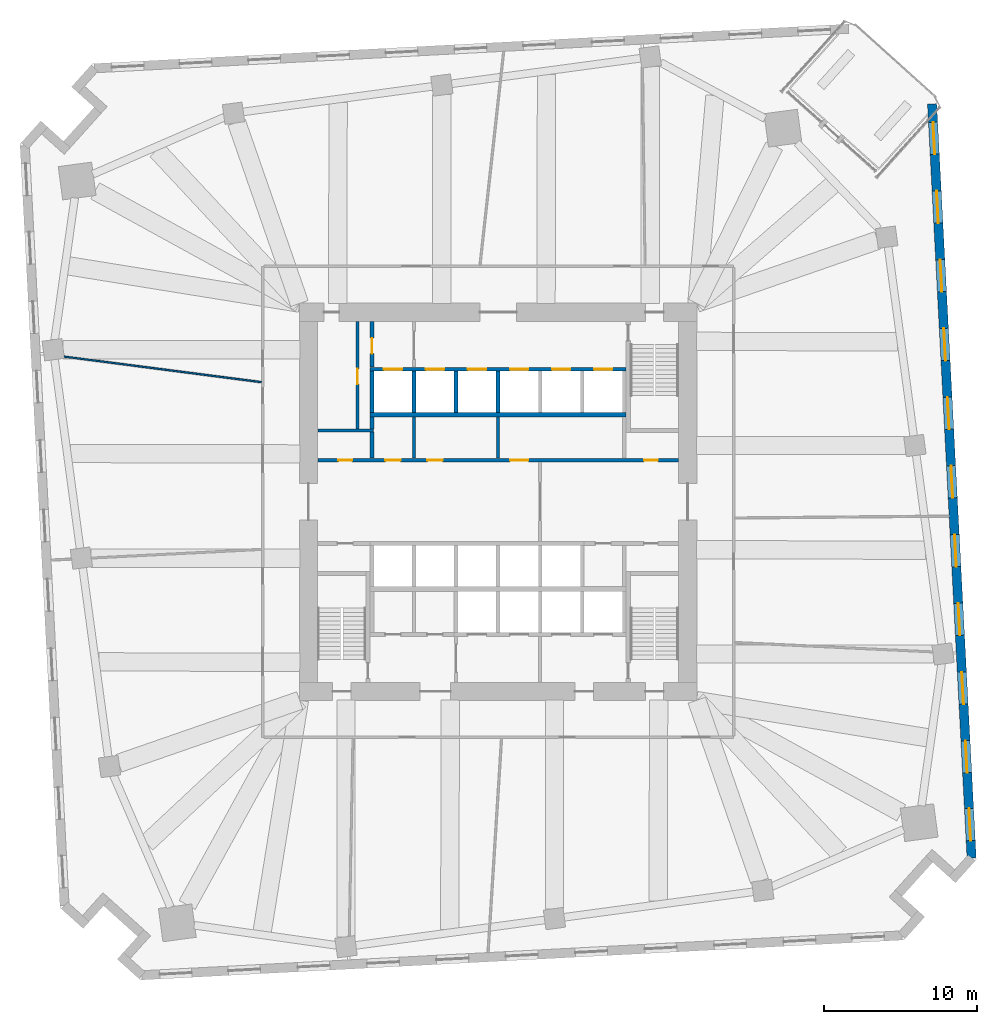
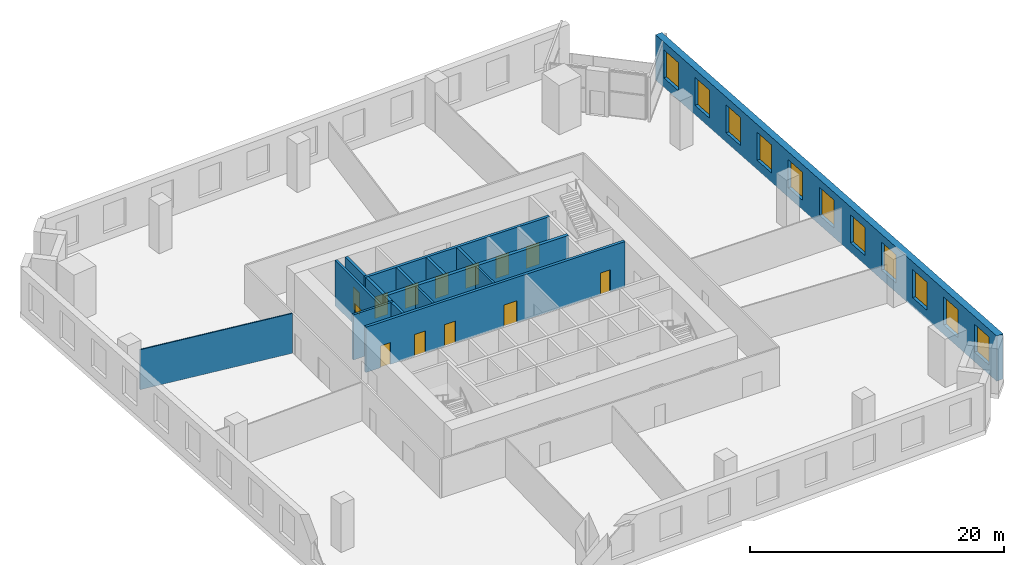
# One storey, part 6 of 10: 16 walls, 13 doors, 11 windows, 24 openings.
"""IFC4 building model written with IfcOpenShell, lengths in metres."""

import ifcopenshell
import ifcopenshell.guid

model = None  # the IFC model being written
_history = None  # IfcOwnerHistory: only IFC2X3 demands one
_inside = {}  # id of a spatial element -> (the spatial element, [elements in it])
_under = {}  # id of a project, library or spatial element -> (it, [spatial elements below it])
_declared = {}  # id of a project -> (the project, [libraries it declares])
_typed = {}  # id of a type object -> (the type object, [elements of that type])
_made_of = {}  # id of a material, layer set ... -> (it, [elements and type objects made of it])


def new_model(schema):
    """Start an empty IFC model of exactly this schema.

    Asked for "IFC4X3", IfcOpenShell would pick the latest addendum, in which some entities
    have other attributes; the version numbers below select the first issue.
    IFC2X3 requires an IfcOwnerHistory on every rooted entity: one is made here for all.
    """
    global model, _history
    if schema == "IFC4X3":
        model = ifcopenshell.file(schema_version=(4, 3, 0, 0))
    else:
        model = ifcopenshell.file(schema=schema)
    _inside.clear()
    _under.clear()
    _declared.clear()
    _typed.clear()
    _made_of.clear()
    _history = None
    if model.schema == "IFC2X3":
        org = make("IfcOrganization", Name="unknown")
        user = make(
            "IfcPersonAndOrganization",
            ThePerson=make("IfcPerson", FamilyName="unknown"),
            TheOrganization=org,
        )
        app = make(
            "IfcApplication",
            ApplicationDeveloper=org,
            Version="unknown",
            ApplicationFullName="unknown",
            ApplicationIdentifier="unknown",
        )
        _history = make(
            "IfcOwnerHistory",
            OwningUser=user,
            OwningApplication=app,
            ChangeAction="ADDED",
            CreationDate=0,
        )
    return model


def make(cls, **values):
    """One entity of the class cls with the attributes given. An attribute that is None is left unset."""
    return model.create_entity(
        cls, **{name: value for name, value in values.items() if value is not None}
    )


def rooted(cls, **values):
    """An entity with a GlobalId (a new one), such as an element, a storey or a relation."""
    return make(cls, GlobalId=ifcopenshell.guid.new(), OwnerHistory=_history, **values)


def si_unit(unit_type, name, prefix=None):
    """IfcSIUnit, for example si_unit("LENGTHUNIT", "METRE", prefix="MILLI")."""
    return make("IfcSIUnit", UnitType=unit_type, Prefix=prefix, Name=name)


def assignment(units):
    """IfcUnitAssignment: the units of a project."""
    return None if units is None else make("IfcUnitAssignment", Units=units)


def point(xyz):
    """IfcCartesianPoint."""
    return None if xyz is None else make("IfcCartesianPoint", Coordinates=xyz)


def direction(xyz):
    """IfcDirection."""
    return None if xyz is None else make("IfcDirection", DirectionRatios=xyz)


def frame(location, z_axis=None, x_axis=None):
    """IfcAxis2Placement3D, a coordinate frame: its origin and axes. An axis left out is left unset."""
    return make(
        "IfcAxis2Placement3D",
        Location=point(location),
        Axis=direction(z_axis),
        RefDirection=direction(x_axis),
    )


def frame_2d(location, x_axis=None):
    """IfcAxis2Placement2D, a coordinate frame in the plane: its origin and x axis."""
    return make(
        "IfcAxis2Placement2D", Location=point(location), RefDirection=direction(x_axis)
    )


def origin():
    """The frame at (0, 0, 0) with its axes left unset."""
    return frame((0.0, 0.0, 0.0))


def place(relative_to, where):
    """IfcLocalPlacement: puts the frame where relative to a parent placement (None: the world)."""
    return make(
        "IfcLocalPlacement", PlacementRelTo=relative_to, RelativePlacement=where
    )


def context(
    kind, dimensions, precision=None, world=None, true_north=None, identifier=None
):
    """IfcGeometricRepresentationContext, for example the 3D "Model" context."""
    return make(
        "IfcGeometricRepresentationContext",
        ContextIdentifier=identifier,
        ContextType=kind,
        CoordinateSpaceDimension=dimensions,
        Precision=precision,
        WorldCoordinateSystem=world,
        TrueNorth=true_north,
    )


def subcontext(parent, identifier, kind, view, scale=None):
    """IfcGeometricRepresentationSubContext, for example "Body" below "Model"."""
    return make(
        "IfcGeometricRepresentationSubContext",
        ContextIdentifier=identifier,
        ContextType=kind,
        ParentContext=parent,
        TargetScale=scale,
        TargetView=view,
    )


def project(units=None, contexts=None):
    """IfcProject with its units and contexts."""
    return rooted(
        "IfcProject",
        Name="project",
        RepresentationContexts=contexts,
        UnitsInContext=assignment(units),
    )


def spatial(cls, under=None, at=None, **own):
    """A site, building, storey or space (cls), placed at a placement, below another one or the project."""
    s = rooted(cls, ObjectPlacement=at, **own)
    if under is not None:
        _under.setdefault(under.id(), (under, []))[1].append(s)
    return s


def profile(cls, at=None, kind="AREA", **sizes):
    """A parametric profile (cls). Its sizes go by their IFC names, for example OverallWidth=200.0."""
    return make(cls, ProfileType=kind, Position=at, **sizes)


def rectangle(**sizes):
    """IfcRectangleProfileDef."""
    return profile("IfcRectangleProfileDef", **sizes)


def extrude(swept, where, along, depth):
    """IfcExtrudedAreaSolid: the profile swept, set in the frame where, extruded along a direction by depth."""
    return make(
        "IfcExtrudedAreaSolid",
        SweptArea=swept,
        Position=where,
        ExtrudedDirection=direction(along),
        Depth=depth,
    )


def shape(context_of_items, identifier, shape_type, items):
    """IfcShapeRepresentation: the items that make up one representation, for example the "Body"."""
    return make(
        "IfcShapeRepresentation",
        ContextOfItems=context_of_items,
        RepresentationIdentifier=identifier,
        RepresentationType=shape_type,
        Items=items,
    )


def material(Name=None, Category=None):
    """IfcMaterial."""
    return make("IfcMaterial", Name=Name, Category=Category)


def layer(
    of_material, thickness, ventilated=None, Name=None, Category=None, Priority=None
):
    """IfcMaterialLayer: one layer of a wall or slab, of a material (None: an air gap)."""
    return make(
        "IfcMaterialLayer",
        Material=of_material,
        LayerThickness=thickness,
        IsVentilated=ventilated,
        Name=Name,
        Category=Category,
        Priority=Priority,
    )


def layer_set(layers, Name=None):
    """IfcMaterialLayerSet."""
    return make("IfcMaterialLayerSet", MaterialLayers=layers, LayerSetName=Name)


def made_of(thing, what):
    """Note that an element or type object is made of a material, layer set ...; save() writes the relation."""
    if what is not None:
        _made_of.setdefault(what.id(), (what, []))[1].append(thing)
    return thing


def type_object(cls, material=None, **own):
    """A type object (cls), such as IfcWallType, which elements share."""
    return made_of(rooted(cls, **own), material)


def element(
    cls,
    number,
    at=None,
    inside=None,
    cuts=None,
    type_object=None,
    material=None,
    context=None,
    identifier="Body",
    shape_type=None,
    held_by="IfcProductDefinitionShape",
    body=None,
    shapes=None,
    **own,
):
    """One element of the class cls, such as IfcWall. Its Tag is "e" and its number.

    at: its placement. inside: the storey or other place that contains it. cuts: it is an
    opening in that element (IfcRelVoidsElement). A single representation is given by context,
    identifier, shape_type and body (its items); several are given by shapes. held_by: the class
    of the entity that holds the representations. save() writes the other relations.
    """
    e = rooted(cls, Tag="e%d" % number, ObjectPlacement=at, **own)
    if body is not None:
        shapes = [shape(context, identifier, shape_type, body)]
    if shapes is not None:
        e.Representation = make(held_by, Representations=shapes)
    if inside is not None:
        _inside.setdefault(inside.id(), (inside, []))[1].append(e)
    if cuts is not None:
        rooted(
            "IfcRelVoidsElement", RelatingBuildingElement=cuts, RelatedOpeningElement=e
        )
    if type_object is not None:
        _typed.setdefault(type_object.id(), (type_object, []))[1].append(e)
    return made_of(e, material)


def fill(opening, filler):
    """IfcRelFillsElement: the door or window that sits in an opening."""
    return rooted(
        "IfcRelFillsElement",
        RelatingOpeningElement=opening,
        RelatedBuildingElement=filler,
    )


def aggregate(whole, parts):
    """IfcRelAggregates: a whole, such as a stair, and the parts it consists of."""
    return rooted("IfcRelAggregates", RelatingObject=whole, RelatedObjects=parts)


def save(model, path):
    """Write the relations noted so far, then the file.

    IfcRelAggregates (storeys below a building ...), IfcRelContainedInSpatialStructure (elements
    in a storey), IfcRelDefinesByType, IfcRelAssociatesMaterial and IfcRelDeclares: one each for
    every whole, place, type object, material and project.
    """
    for whole, parts in _under.values():
        aggregate(whole, parts)
    for where, things in _inside.values():
        rooted(
            "IfcRelContainedInSpatialStructure",
            RelatedElements=things,
            RelatingStructure=where,
        )
    for kind, things in _typed.values():
        rooted("IfcRelDefinesByType", RelatedObjects=things, RelatingType=kind)
    for what, things in _made_of.values():
        rooted("IfcRelAssociatesMaterial", RelatedObjects=things, RelatingMaterial=what)
    for by, libraries in _declared.values():
        rooted("IfcRelDeclares", RelatingContext=by, RelatedDefinitions=libraries)
    model.write(path)


model = new_model("IFC4")

# Units and contexts
model_context = context("Model", 3, precision=1e-05, world=origin(), true_north=direction((0.0, 1.0)))
body_context = subcontext(model_context, "Body", "Model", "MODEL_VIEW")
ifc_project = project(units=[si_unit("LENGTHUNIT", "METRE"), si_unit("AREAUNIT", "SQUARE_METRE"), si_unit("VOLUMEUNIT", "CUBIC_METRE"), si_unit("PLANEANGLEUNIT", "RADIAN"), si_unit("MASSUNIT", "GRAM", prefix="KILO")], contexts=[model_context])

# Site, building, storey
site_placement = place(None, origin())
site = spatial("IfcSite", under=ifc_project, at=site_placement, CompositionType="ELEMENT")
building_placement = place(site_placement, origin())
building = spatial("IfcBuilding", under=site, at=building_placement, Name="Dilmun Exchange Tower", CompositionType="ELEMENT")
storey_placement = place(building_placement, frame((0.0, 0.0, 27.300048828125)))
storey = spatial("IfcBuildingStorey", under=building, at=storey_placement, Name="L06", CompositionType="ELEMENT", Elevation=27.300048828125)

# Walls
ifc_material_1 = material(Name="Concrete C40/50", Category="concrete")
ifc_layer_1 = layer(ifc_material_1, 0.199951171875)
ifc_layer_set_1 = layer_set([ifc_layer_1], Name="Concrete C40/50")
wall_type_1 = type_object("IfcWallType", Name="Core partition wall 200", PredefinedType="PARTITIONING", material=ifc_layer_set_1)
for number, where, z_axis, x_axis, name in (
    (1, (-5.5, 2.85498046875, 0.0), (0.0, 0.0, 1.0), (0.0, 1.0, 0.0), "L06 core partition wall 12"),
    (2, (0.0, 2.85498046875, 0.0), (0.0, 0.0, 1.0), (0.0, 1.0, 0.0), "L06 core partition wall 13"),
):
    element("IfcWall", number, at=place(storey_placement, frame(where, z_axis=z_axis, x_axis=x_axis)), inside=storey, type_object=wall_type_1, Name=name, PredefinedType="PARTITIONING", context=body_context, shape_type="SweptSolid", body=[
        extrude(rectangle(XDim=2.68994140625, YDim=0.199951171875, at=frame_2d((1.344970703125, 0.0))), origin(), (0.0, 0.0, 1.0), 4.349853515625),
    ])
wall_1_placement = place(storey_placement, frame((-11.794921875, 4.675048828125, 0.0), z_axis=(0.0, 0.0, 1.0), x_axis=(1.0, 0.0, 0.0)))
element("IfcWall", 3, at=wall_1_placement, inside=storey, type_object=wall_type_1, Name="L06 core partition wall 15", PredefinedType="PARTITIONING", context=body_context, shape_type="SweptSolid", body=[
    extrude(rectangle(XDim=3.64501953125, YDim=0.199951171875, at=frame_2d((1.822509765625, 0.0))), origin(), (0.0, 0.0, 1.0), 4.349853515625),
])

# Wall, opening, door
wall_2_placement = place(storey_placement, frame((-9.199951171875, 4.780029296875, 0.0), z_axis=(0.0, 0.0, 1.0), x_axis=(0.0, 1.0, 0.0)))
wall_2 = element("IfcWall", 4, at=wall_2_placement, inside=storey, type_object=wall_type_1, Name="L06 core partition wall 16", PredefinedType="PARTITIONING", context=body_context, shape_type="SweptSolid", body=[
    extrude(rectangle(XDim=7.014892578125, YDim=0.199951171875, at=frame_2d((3.50732421875, 0.0))), origin(), (0.0, 0.0, 1.0), 4.349853515625),
])
opening_1_placement = place(wall_2_placement, frame((2.919921875, 0.0, 0.0)))
opening_1 = element("IfcOpeningElement", 5, at=opening_1_placement, cuts=wall_2, Name="Opening CD4", PredefinedType="OPENING", context=body_context, shape_type="SweptSolid", body=[
    extrude(rectangle(XDim=1.0, YDim=2.10009765625, at=frame_2d((0.5, 1.050048828125))), frame((0.0, 0.10986328125, 0.0), z_axis=(0.0, -1.0, 0.0), x_axis=(1.0, 0.0, 0.0)), (0.0, 0.0, 1.0), 0.219970703125),
])
ifc_material_2 = material(Name="Fire-rated steel door set", Category="steel")
door_type_1 = type_object("IfcDoorType", Name="Core room door 1000x2100", OperationType="SINGLE_SWING_LEFT", PredefinedType="DOOR", material=ifc_material_2)
door_1_placement = place(opening_1_placement, origin())
door_1 = element("IfcDoor", 6, at=door_1_placement, inside=storey, type_object=door_type_1, Name="L06 door Fire safety store", OperationType="SINGLE_SWING_LEFT", OverallHeight=2.10009765625, OverallWidth=1.0, PredefinedType="DOOR", context=body_context, shape_type="SweptSolid", body=[
    extrude(rectangle(XDim=1.0, YDim=2.10009765625, at=frame_2d((0.5, 1.050048828125))), frame((0.0, 0.02490234375, 0.0), z_axis=(0.0, -1.0, 0.0), x_axis=(1.0, 0.0, 0.0)), (0.0, 0.0, 1.0), 0.050048828125),
])
fill(opening_1, door_1)

# Wall, openings, doors
ifc_layer_2 = layer(ifc_material_1, 0.25)
ifc_layer_set_2 = layer_set([ifc_layer_2], Name="Concrete C40/50")
wall_type_2 = type_object("IfcWallType", Name="Core partition wall 250", PredefinedType="PARTITIONING", material=ifc_layer_set_2)
wall_3_placement = place(storey_placement, frame((-11.794921875, 2.72509765625, 0.0), z_axis=(0.0, 0.0, 1.0), x_axis=(1.0, 0.0, 0.0)))
wall_3 = element("IfcWall", 7, at=wall_3_placement, inside=storey, type_object=wall_type_2, Name="L06 core partition wall 10", PredefinedType="PARTITIONING", context=body_context, shape_type="SweptSolid", body=[
    extrude(rectangle(XDim=23.58984375, YDim=0.25, at=frame_2d((11.794921875, 0.0))), origin(), (0.0, 0.0, 1.0), 4.349853515625),
])
opening_2_placement = place(wall_3_placement, frame((21.344970703125, 0.0, 0.0)))
opening_2 = element("IfcOpeningElement", 8, at=opening_2_placement, cuts=wall_3, Name="Opening CD6", PredefinedType="OPENING", context=body_context, shape_type="SweptSolid", body=[
    extrude(rectangle(XDim=0.89990234375, YDim=2.10009765625, at=frame_2d((0.449951171875, 1.050048828125))), frame((0.0, 0.135009765625, 0.0), z_axis=(0.0, -1.0, 0.0), x_axis=(1.0, 0.0, 0.0)), (0.0, 0.0, 1.0), 0.27001953125),
])
opening_3_placement = place(wall_3_placement, frame((1.344970703125, 0.0, 0.0)))
opening_3 = element("IfcOpeningElement", 9, at=opening_3_placement, cuts=wall_3, Name="Opening CD6", PredefinedType="OPENING", context=body_context, shape_type="SweptSolid", body=[
    extrude(rectangle(XDim=0.89990234375, YDim=2.10009765625, at=frame_2d((0.449951171875, 1.050048828125))), frame((0.0, 0.135009765625, 0.0), z_axis=(0.0, -1.0, 0.0), x_axis=(1.0, 0.0, 0.0)), (0.0, 0.0, 1.0), 0.27001953125),
])
opening_4_placement = place(wall_3_placement, frame((4.419921875, 0.0, 0.0)))
opening_4 = element("IfcOpeningElement", 10, at=opening_4_placement, cuts=wall_3, Name="Opening CD4", PredefinedType="OPENING", context=body_context, shape_type="SweptSolid", body=[
    extrude(rectangle(XDim=1.0, YDim=2.10009765625, at=frame_2d((0.5, 1.050048828125))), frame((0.0, 0.135009765625, 0.0), z_axis=(0.0, -1.0, 0.0), x_axis=(1.0, 0.0, 0.0)), (0.0, 0.0, 1.0), 0.27001953125),
])
opening_5_placement = place(wall_3_placement, frame((7.169921875, 0.0, 0.0)))
opening_5 = element("IfcOpeningElement", 11, at=opening_5_placement, cuts=wall_3, Name="Opening CD4", PredefinedType="OPENING", context=body_context, shape_type="SweptSolid", body=[
    extrude(rectangle(XDim=1.0, YDim=2.10009765625, at=frame_2d((0.5, 1.050048828125))), frame((0.0, 0.135009765625, 0.0), z_axis=(0.0, -1.0, 0.0), x_axis=(1.0, 0.0, 0.0)), (0.0, 0.0, 1.0), 0.27001953125),
])
opening_6_placement = place(wall_3_placement, frame((12.570068359375, 0.0, 0.0)))
opening_6 = element("IfcOpeningElement", 12, at=opening_6_placement, cuts=wall_3, Name="Opening CD3", PredefinedType="OPENING", context=body_context, shape_type="SweptSolid", body=[
    extrude(rectangle(XDim=1.199951171875, YDim=2.10009765625, at=frame_2d((0.60009765625, 1.050048828125))), frame((0.0, 0.135009765625, 0.0), z_axis=(0.0, -1.0, 0.0), x_axis=(1.0, 0.0, 0.0)), (0.0, 0.0, 1.0), 0.27001953125),
])
door_2_placement = place(opening_4_placement, origin())
door_2 = element("IfcDoor", 13, at=door_2_placement, inside=storey, type_object=door_type_1, Name="L06 door Comms room", OperationType="SINGLE_SWING_LEFT", OverallHeight=2.10009765625, OverallWidth=1.0, PredefinedType="DOOR", context=body_context, shape_type="SweptSolid", body=[
    extrude(rectangle(XDim=1.0, YDim=2.10009765625, at=frame_2d((0.5, 1.050048828125))), frame((0.0, 0.02490234375, 0.0), z_axis=(0.0, -1.0, 0.0), x_axis=(1.0, 0.0, 0.0)), (0.0, 0.0, 1.0), 0.050048828125),
])
fill(opening_4, door_2)
door_3_placement = place(opening_5_placement, origin())
door_3 = element("IfcDoor", 14, at=door_3_placement, inside=storey, type_object=door_type_1, Name="L06 door Print and mail room", OperationType="SINGLE_SWING_LEFT", OverallHeight=2.10009765625, OverallWidth=1.0, PredefinedType="DOOR", context=body_context, shape_type="SweptSolid", body=[
    extrude(rectangle(XDim=1.0, YDim=2.10009765625, at=frame_2d((0.5, 1.050048828125))), frame((0.0, 0.02490234375, 0.0), z_axis=(0.0, -1.0, 0.0), x_axis=(1.0, 0.0, 0.0)), (0.0, 0.0, 1.0), 0.050048828125),
])
fill(opening_5, door_3)
door_type_2 = type_object("IfcDoorType", Name="Core room door 900x2100", OperationType="SINGLE_SWING_LEFT", PredefinedType="DOOR", material=ifc_material_2)
door_4_placement = place(opening_2_placement, origin())
door_4 = element("IfcDoor", 15, at=door_4_placement, inside=storey, type_object=door_type_2, Name="L06 door Electrical riser", OperationType="SINGLE_SWING_LEFT", OverallHeight=2.10009765625, OverallWidth=0.89990234375, PredefinedType="DOOR", context=body_context, shape_type="SweptSolid", body=[
    extrude(rectangle(XDim=0.89990234375, YDim=2.10009765625, at=frame_2d((0.449951171875, 1.050048828125))), frame((0.0, 0.02490234375, 0.0), z_axis=(0.0, -1.0, 0.0), x_axis=(1.0, 0.0, 0.0)), (0.0, 0.0, 1.0), 0.050048828125),
])
fill(opening_2, door_4)
door_5_placement = place(opening_3_placement, origin())
door_5 = element("IfcDoor", 16, at=door_5_placement, inside=storey, type_object=door_type_2, Name="L06 door Plumbing riser", OperationType="SINGLE_SWING_LEFT", OverallHeight=2.10009765625, OverallWidth=0.89990234375, PredefinedType="DOOR", context=body_context, shape_type="SweptSolid", body=[
    extrude(rectangle(XDim=0.89990234375, YDim=2.10009765625, at=frame_2d((0.449951171875, 1.050048828125))), frame((0.0, 0.02490234375, 0.0), z_axis=(0.0, -1.0, 0.0), x_axis=(1.0, 0.0, 0.0)), (0.0, 0.0, 1.0), 0.050048828125),
])
fill(opening_3, door_5)
door_type_3 = type_object("IfcDoorType", Name="Stair exit door 1200x2100", OperationType="SINGLE_SWING_LEFT", PredefinedType="DOOR", material=ifc_material_2)
door_6_placement = place(opening_6_placement, origin())
door_6 = element("IfcDoor", 17, at=door_6_placement, inside=storey, type_object=door_type_3, Name="L06 door Building management office", OperationType="SINGLE_SWING_LEFT", OverallHeight=2.10009765625, OverallWidth=1.199951171875, PredefinedType="DOOR", context=body_context, shape_type="SweptSolid", body=[
    extrude(rectangle(XDim=1.199951171875, YDim=2.10009765625, at=frame_2d((0.60009765625, 1.050048828125))), frame((0.0, 0.02490234375, 0.0), z_axis=(0.0, -1.0, 0.0), x_axis=(1.0, 0.0, 0.0)), (0.0, 0.0, 1.0), 0.050048828125),
])
fill(opening_6, door_6)

# Walls
wall_4_placement = place(storey_placement, frame((-8.25, 2.85498046875, 0.0), z_axis=(0.0, 0.0, 1.0), x_axis=(0.0, 1.0, 0.0)))
element("IfcWall", 18, at=wall_4_placement, inside=storey, type_object=wall_type_2, Name="L06 core partition wall 11", PredefinedType="PARTITIONING", context=body_context, shape_type="SweptSolid", body=[
    extrude(rectangle(XDim=1.715087890625, YDim=0.25, at=frame_2d((0.857421875, 0.0))), origin(), (0.0, 0.0, 1.0), 4.349853515625),
])
wall_5_placement = place(storey_placement, frame((-8.25, 4.780029296875, 0.0), z_axis=(0.0, 0.0, 1.0), x_axis=(0.0, 1.0, 0.0)))
element("IfcWall", 19, at=wall_5_placement, inside=storey, type_object=wall_type_2, Name="L06 core partition wall 17", PredefinedType="PARTITIONING", context=body_context, shape_type="SweptSolid", body=[
    extrude(rectangle(XDim=0.764892578125, YDim=0.25, at=frame_2d((0.38232421875, 0.0))), origin(), (0.0, 0.0, 1.0), 4.349853515625),
])

# Wall, opening, door
wall_6_placement = place(storey_placement, frame((-8.25, 8.804931640625, 0.0), z_axis=(0.0, 0.0, 1.0), x_axis=(0.0, 1.0, 0.0)))
wall_6 = element("IfcWall", 20, at=wall_6_placement, inside=storey, type_object=wall_type_2, Name="L06 core partition wall 18", PredefinedType="PARTITIONING", context=body_context, shape_type="SweptSolid", body=[
    extrude(rectangle(XDim=2.989990234375, YDim=0.25, at=frame_2d((1.4951171875, 0.0))), origin(), (0.0, 0.0, 1.0), 4.349853515625),
])
opening_7_placement = place(wall_6_placement, frame((0.89501953125, 0.0, 0.0)))
opening_7 = element("IfcOpeningElement", 21, at=opening_7_placement, cuts=wall_6, Name="Opening CD4", PredefinedType="OPENING", context=body_context, shape_type="SweptSolid", body=[
    extrude(rectangle(XDim=1.0, YDim=2.10009765625, at=frame_2d((0.5, 1.050048828125))), frame((0.0, 0.135009765625, 0.0), z_axis=(0.0, -1.0, 0.0), x_axis=(1.0, 0.0, 0.0)), (0.0, 0.0, 1.0), 0.27001953125),
])
door_7_placement = place(opening_7_placement, origin())
door_7 = element("IfcDoor", 22, at=door_7_placement, inside=storey, type_object=door_type_1, Name="L06 door Tenant services room", OperationType="SINGLE_SWING_LEFT", OverallHeight=2.10009765625, OverallWidth=1.0, PredefinedType="DOOR", context=body_context, shape_type="SweptSolid", body=[
    extrude(rectangle(XDim=1.0, YDim=2.10009765625, at=frame_2d((0.5, 1.050048828125))), frame((0.0, 0.02490234375, 0.0), z_axis=(0.0, -1.0, 0.0), x_axis=(1.0, 0.0, 0.0)), (0.0, 0.0, 1.0), 0.050048828125),
])
fill(opening_7, door_7)

# Wall
ifc_layer_3 = layer(ifc_material_1, 0.300048828125)
ifc_layer_set_3 = layer_set([ifc_layer_3], Name="Concrete C40/50")
wall_type_3 = type_object("IfcWallType", Name="Lift shaft shared wall 300", PredefinedType="SOLIDWALL", material=ifc_layer_set_3)
wall_7_placement = place(storey_placement, frame((-8.375, 5.699951171875, 0.0), z_axis=(0.0, 0.0, 1.0), x_axis=(1.0, 0.0, 0.0)))
element("IfcWall", 23, at=wall_7_placement, inside=storey, type_object=wall_type_3, Name="L06 lift shaft rear wall N", PredefinedType="SOLIDWALL", context=body_context, shape_type="SweptSolid", body=[
    extrude(rectangle(XDim=16.75, YDim=0.300048828125, at=frame_2d((8.375, 0.0))), origin(), (0.0, 0.0, 1.0), 4.349853515625),
])

# Wall, openings, doors
ifc_layer_4 = layer(ifc_material_1, 0.25)
ifc_layer_set_4 = layer_set([ifc_layer_4], Name="Concrete C40/50")
wall_type_4 = type_object("IfcWallType", Name="Lift shaft wall 250", PredefinedType="SOLIDWALL", material=ifc_layer_set_4)
wall_8_placement = place(storey_placement, frame((-8.375, 8.675048828125, 0.0), z_axis=(0.0, 0.0, 1.0), x_axis=(1.0, 0.0, 0.0)))
wall_8 = element("IfcWall", 24, at=wall_8_placement, inside=storey, type_object=wall_type_4, Name="L06 lift shaft front wall N2", PredefinedType="SOLIDWALL", context=body_context, shape_type="SweptSolid", body=[
    extrude(rectangle(XDim=16.75, YDim=0.25, at=frame_2d((8.375, 0.0))), origin(), (0.0, 0.0, 1.0), 4.349853515625),
])
opening_8_placement = place(wall_8_placement, frame((0.89990234375, 0.0, 0.0)))
opening_8 = element("IfcOpeningElement", 25, at=opening_8_placement, cuts=wall_8, Name="Opening LD", PredefinedType="OPENING", context=body_context, shape_type="SweptSolid", body=[
    extrude(rectangle(XDim=1.199951171875, YDim=2.10009765625, at=frame_2d((0.60009765625, 1.050048828125))), frame((0.0, 0.135009765625, 0.0), z_axis=(0.0, -1.0, 0.0), x_axis=(1.0, 0.0, 0.0)), (0.0, 0.0, 1.0), 0.27001953125),
])
opening_9_placement = place(wall_8_placement, frame((3.64990234375, 0.0, 0.0)))
opening_9 = element("IfcOpeningElement", 26, at=opening_9_placement, cuts=wall_8, Name="Opening LD", PredefinedType="OPENING", context=body_context, shape_type="SweptSolid", body=[
    extrude(rectangle(XDim=1.199951171875, YDim=2.10009765625, at=frame_2d((0.60009765625, 1.050048828125))), frame((0.0, 0.135009765625, 0.0), z_axis=(0.0, -1.0, 0.0), x_axis=(1.0, 0.0, 0.0)), (0.0, 0.0, 1.0), 0.27001953125),
])
opening_10_placement = place(wall_8_placement, frame((6.39990234375, 0.0, 0.0)))
opening_10 = element("IfcOpeningElement", 27, at=opening_10_placement, cuts=wall_8, Name="Opening LD", PredefinedType="OPENING", context=body_context, shape_type="SweptSolid", body=[
    extrude(rectangle(XDim=1.199951171875, YDim=2.10009765625, at=frame_2d((0.60009765625, 1.050048828125))), frame((0.0, 0.135009765625, 0.0), z_axis=(0.0, -1.0, 0.0), x_axis=(1.0, 0.0, 0.0)), (0.0, 0.0, 1.0), 0.27001953125),
])
opening_11_placement = place(wall_8_placement, frame((9.14990234375, 0.0, 0.0)))
opening_11 = element("IfcOpeningElement", 28, at=opening_11_placement, cuts=wall_8, Name="Opening LD", PredefinedType="OPENING", context=body_context, shape_type="SweptSolid", body=[
    extrude(rectangle(XDim=1.199951171875, YDim=2.10009765625, at=frame_2d((0.60009765625, 1.050048828125))), frame((0.0, 0.135009765625, 0.0), z_axis=(0.0, -1.0, 0.0), x_axis=(1.0, 0.0, 0.0)), (0.0, 0.0, 1.0), 0.27001953125),
])
opening_12_placement = place(wall_8_placement, frame((11.89990234375, 0.0, 0.0)))
opening_12 = element("IfcOpeningElement", 29, at=opening_12_placement, cuts=wall_8, Name="Opening LD", PredefinedType="OPENING", context=body_context, shape_type="SweptSolid", body=[
    extrude(rectangle(XDim=1.199951171875, YDim=2.10009765625, at=frame_2d((0.60009765625, 1.050048828125))), frame((0.0, 0.135009765625, 0.0), z_axis=(0.0, -1.0, 0.0), x_axis=(1.0, 0.0, 0.0)), (0.0, 0.0, 1.0), 0.27001953125),
])
opening_13_placement = place(wall_8_placement, frame((14.64990234375, 0.0, 0.0)))
opening_13 = element("IfcOpeningElement", 30, at=opening_13_placement, cuts=wall_8, Name="Opening LD", PredefinedType="OPENING", context=body_context, shape_type="SweptSolid", body=[
    extrude(rectangle(XDim=1.199951171875, YDim=2.10009765625, at=frame_2d((0.60009765625, 1.050048828125))), frame((0.0, 0.135009765625, 0.0), z_axis=(0.0, -1.0, 0.0), x_axis=(1.0, 0.0, 0.0)), (0.0, 0.0, 1.0), 0.27001953125),
])
door_type_4 = type_object("IfcDoorType", Name="Lift landing door 1200x2100", OperationType="DOUBLE_DOOR_SLIDING", PredefinedType="DOOR", material=ifc_material_2)
door_8_placement = place(opening_8_placement, origin())
door_8 = element("IfcDoor", 31, at=door_8_placement, inside=storey, type_object=door_type_4, Name="L06 landing door LR1", OperationType="DOUBLE_DOOR_SLIDING", OverallHeight=2.10009765625, OverallWidth=1.199951171875, PredefinedType="DOOR", context=body_context, shape_type="SweptSolid", body=[
    extrude(rectangle(XDim=1.199951171875, YDim=2.10009765625, at=frame_2d((0.60009765625, 1.050048828125))), frame((0.0, 0.02490234375, 0.0), z_axis=(0.0, -1.0, 0.0), x_axis=(1.0, 0.0, 0.0)), (0.0, 0.0, 1.0), 0.050048828125),
])
fill(opening_8, door_8)
door_9_placement = place(opening_9_placement, origin())
door_9 = element("IfcDoor", 32, at=door_9_placement, inside=storey, type_object=door_type_4, Name="L06 landing door LR2", OperationType="DOUBLE_DOOR_SLIDING", OverallHeight=2.10009765625, OverallWidth=1.199951171875, PredefinedType="DOOR", context=body_context, shape_type="SweptSolid", body=[
    extrude(rectangle(XDim=1.199951171875, YDim=2.10009765625, at=frame_2d((0.60009765625, 1.050048828125))), frame((0.0, 0.02490234375, 0.0), z_axis=(0.0, -1.0, 0.0), x_axis=(1.0, 0.0, 0.0)), (0.0, 0.0, 1.0), 0.050048828125),
])
fill(opening_9, door_9)
door_10_placement = place(opening_10_placement, origin())
door_10 = element("IfcDoor", 33, at=door_10_placement, inside=storey, type_object=door_type_4, Name="L06 landing door LR3", OperationType="DOUBLE_DOOR_SLIDING", OverallHeight=2.10009765625, OverallWidth=1.199951171875, PredefinedType="DOOR", context=body_context, shape_type="SweptSolid", body=[
    extrude(rectangle(XDim=1.199951171875, YDim=2.10009765625, at=frame_2d((0.60009765625, 1.050048828125))), frame((0.0, 0.02490234375, 0.0), z_axis=(0.0, -1.0, 0.0), x_axis=(1.0, 0.0, 0.0)), (0.0, 0.0, 1.0), 0.050048828125),
])
fill(opening_10, door_10)
door_11_placement = place(opening_11_placement, origin())
door_11 = element("IfcDoor", 34, at=door_11_placement, inside=storey, type_object=door_type_4, Name="L06 landing door LR4", OperationType="DOUBLE_DOOR_SLIDING", OverallHeight=2.10009765625, OverallWidth=1.199951171875, PredefinedType="DOOR", context=body_context, shape_type="SweptSolid", body=[
    extrude(rectangle(XDim=1.199951171875, YDim=2.10009765625, at=frame_2d((0.60009765625, 1.050048828125))), frame((0.0, 0.02490234375, 0.0), z_axis=(0.0, -1.0, 0.0), x_axis=(1.0, 0.0, 0.0)), (0.0, 0.0, 1.0), 0.050048828125),
])
fill(opening_11, door_11)
door_12_placement = place(opening_12_placement, origin())
door_12 = element("IfcDoor", 35, at=door_12_placement, inside=storey, type_object=door_type_4, Name="L06 landing door LR5", OperationType="DOUBLE_DOOR_SLIDING", OverallHeight=2.10009765625, OverallWidth=1.199951171875, PredefinedType="DOOR", context=body_context, shape_type="SweptSolid", body=[
    extrude(rectangle(XDim=1.199951171875, YDim=2.10009765625, at=frame_2d((0.60009765625, 1.050048828125))), frame((0.0, 0.02490234375, 0.0), z_axis=(0.0, -1.0, 0.0), x_axis=(1.0, 0.0, 0.0)), (0.0, 0.0, 1.0), 0.050048828125),
])
fill(opening_12, door_12)
door_13_placement = place(opening_13_placement, origin())
door_13 = element("IfcDoor", 36, at=door_13_placement, inside=storey, type_object=door_type_4, Name="L06 landing door LR6", OperationType="DOUBLE_DOOR_SLIDING", OverallHeight=2.10009765625, OverallWidth=1.199951171875, PredefinedType="DOOR", context=body_context, shape_type="SweptSolid", body=[
    extrude(rectangle(XDim=1.199951171875, YDim=2.10009765625, at=frame_2d((0.60009765625, 1.050048828125))), frame((0.0, 0.02490234375, 0.0), z_axis=(0.0, -1.0, 0.0), x_axis=(1.0, 0.0, 0.0)), (0.0, 0.0, 1.0), 0.050048828125),
])
fill(opening_13, door_13)

# Walls
for number, where, z_axis, x_axis, name in (
    (37, (-8.25, 5.85009765625, 0.0), (0.0, 0.0, 1.0), (0.0, 1.0, 0.0), "L06 lift shaft divider N20"),
    (38, (-5.5, 5.85009765625, 0.0), (0.0, 0.0, 1.0), (0.0, 1.0, 0.0), "L06 lift shaft divider N21"),
    (39, (-2.75, 5.85009765625, 0.0), (0.0, 0.0, 1.0), (0.0, 1.0, 0.0), "L06 lift shaft divider N22"),
    (40, (0.0, 5.85009765625, 0.0), (0.0, 0.0, 1.0), (0.0, 1.0, 0.0), "L06 lift shaft divider N23"),
):
    element("IfcWall", number, at=place(storey_placement, frame(where, z_axis=z_axis, x_axis=x_axis)), inside=storey, type_object=wall_type_4, Name=name, PredefinedType="SOLIDWALL", context=body_context, shape_type="SweptSolid", body=[
        extrude(rectangle(XDim=2.699951171875, YDim=0.25, at=frame_2d((1.35009765625, 0.0))), origin(), (0.0, 0.0, 1.0), 4.349853515625),
    ])
ifc_material_3 = material(Name="Partition 100")
ifc_layer_5 = layer(ifc_material_3, 0.10009765625)
ifc_layer_set_5 = layer_set([ifc_layer_5], Name="Partition 100")
wall_type_5 = type_object("IfcWallType", Name="Partition 100", PredefinedType="PARTITIONING", material=ifc_layer_set_5)
wall_9_placement = place(storey_placement, frame((-28.376708984375, 9.496826171875, 0.0), z_axis=(0.0, 0.0, 1.0), x_axis=(0.991714249214, -0.128463410764, 0.0)))
element("IfcWall", 41, at=wall_9_placement, inside=storey, type_object=wall_type_5, Name="Partition", PredefinedType="PARTITIONING", context=body_context, shape_type="SweptSolid", body=[
    extrude(rectangle(XDim=13.0029296875, YDim=0.10009765625, at=frame_2d((6.50146484375, 0.0))), origin(), (0.0, 0.0, 1.0), 3.849853515625),
])

# Wall, openings, windows
ifc_material_4 = material(Name="Precast concrete C50/60", Category="concrete")
ifc_layer_6 = layer(ifc_material_4, 0.60009765625)
ifc_layer_set_6 = layer_set([ifc_layer_6], Name="Precast concrete C50/60")
wall_type_6 = type_object("IfcWallType", Name="Precast stone-clad wall 600", PredefinedType="STANDARD", material=ifc_layer_set_6)
wall_10_placement = place(storey_placement, frame((30.961181640625, -23.287353515625, 0.0), z_axis=(0.0, 0.0, 1.0), x_axis=(-0.052333049168, 0.998629687104, 0.0)))
wall_10 = element("IfcWall", 42, at=wall_10_placement, inside=storey, type_object=wall_type_6, Name="Facade wall L06-21", PredefinedType="STANDARD", context=body_context, shape_type="SweptSolid", body=[
    extrude(rectangle(XDim=49.375732421875, YDim=0.60009765625, at=frame_2d((24.68798828125, 0.0))), origin(), (0.0, 0.0, 1.0), 4.349853515625),
])
opening_14_placement = place(wall_10_placement, frame((1.137939453125, 0.0, 0.89990234375)))
opening_14 = element("IfcOpeningElement", 43, at=opening_14_placement, cuts=wall_10, Name="Opening W210-270", PredefinedType="OPENING", context=body_context, shape_type="SweptSolid", body=[
    extrude(rectangle(XDim=2.10009765625, YDim=2.699951171875, at=frame_2d((1.050048828125, 1.35009765625))), frame((0.0, 0.31005859375, 0.0), z_axis=(0.0, -1.0, 0.0), x_axis=(1.0, 0.0, 0.0)), (0.0, 0.0, 1.0), 0.6201171875),
])
opening_15_placement = place(wall_10_placement, frame((5.57568359375, 0.0, 0.89990234375)))
opening_15 = element("IfcOpeningElement", 44, at=opening_15_placement, cuts=wall_10, Name="Opening W210-270", PredefinedType="OPENING", context=body_context, shape_type="SweptSolid", body=[
    extrude(rectangle(XDim=2.10009765625, YDim=2.699951171875, at=frame_2d((1.050048828125, 1.35009765625))), frame((0.0, 0.31005859375, 0.0), z_axis=(0.0, -1.0, 0.0), x_axis=(1.0, 0.0, 0.0)), (0.0, 0.0, 1.0), 0.6201171875),
])
opening_16_placement = place(wall_10_placement, frame((10.07568359375, 0.0, 0.89990234375)))
opening_16 = element("IfcOpeningElement", 45, at=opening_16_placement, cuts=wall_10, Name="Opening W210-270", PredefinedType="OPENING", context=body_context, shape_type="SweptSolid", body=[
    extrude(rectangle(XDim=2.10009765625, YDim=2.699951171875, at=frame_2d((1.050048828125, 1.35009765625))), frame((0.0, 0.31005859375, 0.0), z_axis=(0.0, -1.0, 0.0), x_axis=(1.0, 0.0, 0.0)), (0.0, 0.0, 1.0), 0.6201171875),
])
opening_17_placement = place(wall_10_placement, frame((14.57568359375, 0.0, 0.89990234375)))
opening_17 = element("IfcOpeningElement", 46, at=opening_17_placement, cuts=wall_10, Name="Opening W210-270", PredefinedType="OPENING", context=body_context, shape_type="SweptSolid", body=[
    extrude(rectangle(XDim=2.10009765625, YDim=2.699951171875, at=frame_2d((1.050048828125, 1.35009765625))), frame((0.0, 0.31005859375, 0.0), z_axis=(0.0, -1.0, 0.0), x_axis=(1.0, 0.0, 0.0)), (0.0, 0.0, 1.0), 0.6201171875),
])
opening_18_placement = place(wall_10_placement, frame((19.07568359375, 0.0, 0.89990234375)))
opening_18 = element("IfcOpeningElement", 47, at=opening_18_placement, cuts=wall_10, Name="Opening W210-270", PredefinedType="OPENING", context=body_context, shape_type="SweptSolid", body=[
    extrude(rectangle(XDim=2.10009765625, YDim=2.699951171875, at=frame_2d((1.050048828125, 1.35009765625))), frame((0.0, 0.31005859375, 0.0), z_axis=(0.0, -1.0, 0.0), x_axis=(1.0, 0.0, 0.0)), (0.0, 0.0, 1.0), 0.6201171875),
])
opening_19_placement = place(wall_10_placement, frame((23.57568359375, 0.0, 0.89990234375)))
opening_19 = element("IfcOpeningElement", 48, at=opening_19_placement, cuts=wall_10, Name="Opening W210-270", PredefinedType="OPENING", context=body_context, shape_type="SweptSolid", body=[
    extrude(rectangle(XDim=2.10009765625, YDim=2.699951171875, at=frame_2d((1.050048828125, 1.35009765625))), frame((0.0, 0.31005859375, 0.0), z_axis=(0.0, -1.0, 0.0), x_axis=(1.0, 0.0, 0.0)), (0.0, 0.0, 1.0), 0.6201171875),
])
opening_20_placement = place(wall_10_placement, frame((28.07568359375, 0.0, 0.89990234375)))
opening_20 = element("IfcOpeningElement", 49, at=opening_20_placement, cuts=wall_10, Name="Opening W210-270", PredefinedType="OPENING", context=body_context, shape_type="SweptSolid", body=[
    extrude(rectangle(XDim=2.10009765625, YDim=2.699951171875, at=frame_2d((1.050048828125, 1.35009765625))), frame((0.0, 0.31005859375, 0.0), z_axis=(0.0, -1.0, 0.0), x_axis=(1.0, 0.0, 0.0)), (0.0, 0.0, 1.0), 0.6201171875),
])
opening_21_placement = place(wall_10_placement, frame((32.57568359375, 0.0, 0.89990234375)))
opening_21 = element("IfcOpeningElement", 50, at=opening_21_placement, cuts=wall_10, Name="Opening W210-270", PredefinedType="OPENING", context=body_context, shape_type="SweptSolid", body=[
    extrude(rectangle(XDim=2.10009765625, YDim=2.699951171875, at=frame_2d((1.050048828125, 1.35009765625))), frame((0.0, 0.31005859375, 0.0), z_axis=(0.0, -1.0, 0.0), x_axis=(1.0, 0.0, 0.0)), (0.0, 0.0, 1.0), 0.6201171875),
])
opening_22_placement = place(wall_10_placement, frame((37.07568359375, 0.0, 0.89990234375)))
opening_22 = element("IfcOpeningElement", 51, at=opening_22_placement, cuts=wall_10, Name="Opening W210-270", PredefinedType="OPENING", context=body_context, shape_type="SweptSolid", body=[
    extrude(rectangle(XDim=2.10009765625, YDim=2.699951171875, at=frame_2d((1.050048828125, 1.35009765625))), frame((0.0, 0.31005859375, 0.0), z_axis=(0.0, -1.0, 0.0), x_axis=(1.0, 0.0, 0.0)), (0.0, 0.0, 1.0), 0.6201171875),
])
opening_23_placement = place(wall_10_placement, frame((41.57568359375, 0.0, 0.89990234375)))
opening_23 = element("IfcOpeningElement", 52, at=opening_23_placement, cuts=wall_10, Name="Opening W210-270", PredefinedType="OPENING", context=body_context, shape_type="SweptSolid", body=[
    extrude(rectangle(XDim=2.10009765625, YDim=2.699951171875, at=frame_2d((1.050048828125, 1.35009765625))), frame((0.0, 0.31005859375, 0.0), z_axis=(0.0, -1.0, 0.0), x_axis=(1.0, 0.0, 0.0)), (0.0, 0.0, 1.0), 0.6201171875),
])
opening_24_placement = place(wall_10_placement, frame((46.07568359375, 0.0, 0.89990234375)))
opening_24 = element("IfcOpeningElement", 53, at=opening_24_placement, cuts=wall_10, Name="Opening W210-270", PredefinedType="OPENING", context=body_context, shape_type="SweptSolid", body=[
    extrude(rectangle(XDim=2.10009765625, YDim=2.699951171875, at=frame_2d((1.050048828125, 1.35009765625))), frame((0.0, 0.31005859375, 0.0), z_axis=(0.0, -1.0, 0.0), x_axis=(1.0, 0.0, 0.0)), (0.0, 0.0, 1.0), 0.6201171875),
])
ifc_material_5 = material(Name="Clear low-emissivity glass in aluminium frame", Category="aluminium")
window_type = type_object("IfcWindowType", Name="Punched window 2100 x 2700", PartitioningType="DOUBLE_PANEL_VERTICAL", PredefinedType="WINDOW", material=ifc_material_5)
window_1_placement = place(opening_14_placement, origin())
window_1 = element("IfcWindow", 54, at=window_1_placement, inside=storey, type_object=window_type, Name="Window 22.1", OverallHeight=2.699951171875, OverallWidth=2.10009765625, PartitioningType="SINGLE_PANEL", PredefinedType="WINDOW", context=body_context, shape_type="SweptSolid", body=[
    extrude(rectangle(XDim=2.10009765625, YDim=2.699951171875, at=frame_2d((1.050048828125, 1.35009765625))), frame((0.0, 0.030029296875, 0.0), z_axis=(0.0, -1.0, 0.0), x_axis=(1.0, 0.0, 0.0)), (0.0, 0.0, 1.0), 0.06005859375),
])
fill(opening_14, window_1)
window_2_placement = place(opening_15_placement, origin())
window_2 = element("IfcWindow", 55, at=window_2_placement, inside=storey, type_object=window_type, Name="Window 22.2", OverallHeight=2.699951171875, OverallWidth=2.10009765625, PartitioningType="SINGLE_PANEL", PredefinedType="WINDOW", context=body_context, shape_type="SweptSolid", body=[
    extrude(rectangle(XDim=2.10009765625, YDim=2.699951171875, at=frame_2d((1.050048828125, 1.35009765625))), frame((0.0, 0.030029296875, 0.0), z_axis=(0.0, -1.0, 0.0), x_axis=(1.0, 0.0, 0.0)), (0.0, 0.0, 1.0), 0.06005859375),
])
fill(opening_15, window_2)
window_3_placement = place(opening_16_placement, origin())
window_3 = element("IfcWindow", 56, at=window_3_placement, inside=storey, type_object=window_type, Name="Window 22.3", OverallHeight=2.699951171875, OverallWidth=2.10009765625, PartitioningType="SINGLE_PANEL", PredefinedType="WINDOW", context=body_context, shape_type="SweptSolid", body=[
    extrude(rectangle(XDim=2.10009765625, YDim=2.699951171875, at=frame_2d((1.050048828125, 1.35009765625))), frame((0.0, 0.030029296875, 0.0), z_axis=(0.0, -1.0, 0.0), x_axis=(1.0, 0.0, 0.0)), (0.0, 0.0, 1.0), 0.06005859375),
])
fill(opening_16, window_3)
window_4_placement = place(opening_17_placement, origin())
window_4 = element("IfcWindow", 57, at=window_4_placement, inside=storey, type_object=window_type, Name="Window 22.4", OverallHeight=2.699951171875, OverallWidth=2.10009765625, PartitioningType="SINGLE_PANEL", PredefinedType="WINDOW", context=body_context, shape_type="SweptSolid", body=[
    extrude(rectangle(XDim=2.10009765625, YDim=2.699951171875, at=frame_2d((1.050048828125, 1.35009765625))), frame((0.0, 0.030029296875, 0.0), z_axis=(0.0, -1.0, 0.0), x_axis=(1.0, 0.0, 0.0)), (0.0, 0.0, 1.0), 0.06005859375),
])
fill(opening_17, window_4)
window_5_placement = place(opening_18_placement, origin())
window_5 = element("IfcWindow", 58, at=window_5_placement, inside=storey, type_object=window_type, Name="Window 22.5", OverallHeight=2.699951171875, OverallWidth=2.10009765625, PartitioningType="SINGLE_PANEL", PredefinedType="WINDOW", context=body_context, shape_type="SweptSolid", body=[
    extrude(rectangle(XDim=2.10009765625, YDim=2.699951171875, at=frame_2d((1.050048828125, 1.35009765625))), frame((0.0, 0.030029296875, 0.0), z_axis=(0.0, -1.0, 0.0), x_axis=(1.0, 0.0, 0.0)), (0.0, 0.0, 1.0), 0.06005859375),
])
fill(opening_18, window_5)
window_6_placement = place(opening_19_placement, origin())
window_6 = element("IfcWindow", 59, at=window_6_placement, inside=storey, type_object=window_type, Name="Window 22.6", OverallHeight=2.699951171875, OverallWidth=2.10009765625, PartitioningType="SINGLE_PANEL", PredefinedType="WINDOW", context=body_context, shape_type="SweptSolid", body=[
    extrude(rectangle(XDim=2.10009765625, YDim=2.699951171875, at=frame_2d((1.050048828125, 1.35009765625))), frame((0.0, 0.030029296875, 0.0), z_axis=(0.0, -1.0, 0.0), x_axis=(1.0, 0.0, 0.0)), (0.0, 0.0, 1.0), 0.06005859375),
])
fill(opening_19, window_6)
window_7_placement = place(opening_20_placement, origin())
window_7 = element("IfcWindow", 60, at=window_7_placement, inside=storey, type_object=window_type, Name="Window 22.7", OverallHeight=2.699951171875, OverallWidth=2.10009765625, PartitioningType="SINGLE_PANEL", PredefinedType="WINDOW", context=body_context, shape_type="SweptSolid", body=[
    extrude(rectangle(XDim=2.10009765625, YDim=2.699951171875, at=frame_2d((1.050048828125, 1.35009765625))), frame((0.0, 0.030029296875, 0.0), z_axis=(0.0, -1.0, 0.0), x_axis=(1.0, 0.0, 0.0)), (0.0, 0.0, 1.0), 0.06005859375),
])
fill(opening_20, window_7)
window_8_placement = place(opening_21_placement, origin())
window_8 = element("IfcWindow", 61, at=window_8_placement, inside=storey, type_object=window_type, Name="Window 22.8", OverallHeight=2.699951171875, OverallWidth=2.10009765625, PartitioningType="SINGLE_PANEL", PredefinedType="WINDOW", context=body_context, shape_type="SweptSolid", body=[
    extrude(rectangle(XDim=2.10009765625, YDim=2.699951171875, at=frame_2d((1.050048828125, 1.35009765625))), frame((0.0, 0.030029296875, 0.0), z_axis=(0.0, -1.0, 0.0), x_axis=(1.0, 0.0, 0.0)), (0.0, 0.0, 1.0), 0.06005859375),
])
fill(opening_21, window_8)
window_9_placement = place(opening_22_placement, origin())
window_9 = element("IfcWindow", 62, at=window_9_placement, inside=storey, type_object=window_type, Name="Window 22.9", OverallHeight=2.699951171875, OverallWidth=2.10009765625, PartitioningType="SINGLE_PANEL", PredefinedType="WINDOW", context=body_context, shape_type="SweptSolid", body=[
    extrude(rectangle(XDim=2.10009765625, YDim=2.699951171875, at=frame_2d((1.050048828125, 1.35009765625))), frame((0.0, 0.030029296875, 0.0), z_axis=(0.0, -1.0, 0.0), x_axis=(1.0, 0.0, 0.0)), (0.0, 0.0, 1.0), 0.06005859375),
])
fill(opening_22, window_9)
window_10_placement = place(opening_23_placement, origin())
window_10 = element("IfcWindow", 63, at=window_10_placement, inside=storey, type_object=window_type, Name="Window 22.10", OverallHeight=2.699951171875, OverallWidth=2.10009765625, PartitioningType="SINGLE_PANEL", PredefinedType="WINDOW", context=body_context, shape_type="SweptSolid", body=[
    extrude(rectangle(XDim=2.10009765625, YDim=2.699951171875, at=frame_2d((1.050048828125, 1.35009765625))), frame((0.0, 0.030029296875, 0.0), z_axis=(0.0, -1.0, 0.0), x_axis=(1.0, 0.0, 0.0)), (0.0, 0.0, 1.0), 0.06005859375),
])
fill(opening_23, window_10)
window_11_placement = place(opening_24_placement, origin())
window_11 = element("IfcWindow", 64, at=window_11_placement, inside=storey, type_object=window_type, Name="Window 22.11", OverallHeight=2.699951171875, OverallWidth=2.10009765625, PartitioningType="SINGLE_PANEL", PredefinedType="WINDOW", context=body_context, shape_type="SweptSolid", body=[
    extrude(rectangle(XDim=2.10009765625, YDim=2.699951171875, at=frame_2d((1.050048828125, 1.35009765625))), frame((0.0, 0.030029296875, 0.0), z_axis=(0.0, -1.0, 0.0), x_axis=(1.0, 0.0, 0.0)), (0.0, 0.0, 1.0), 0.06005859375),
])
fill(opening_24, window_11)

save(model, "model.ifc")
